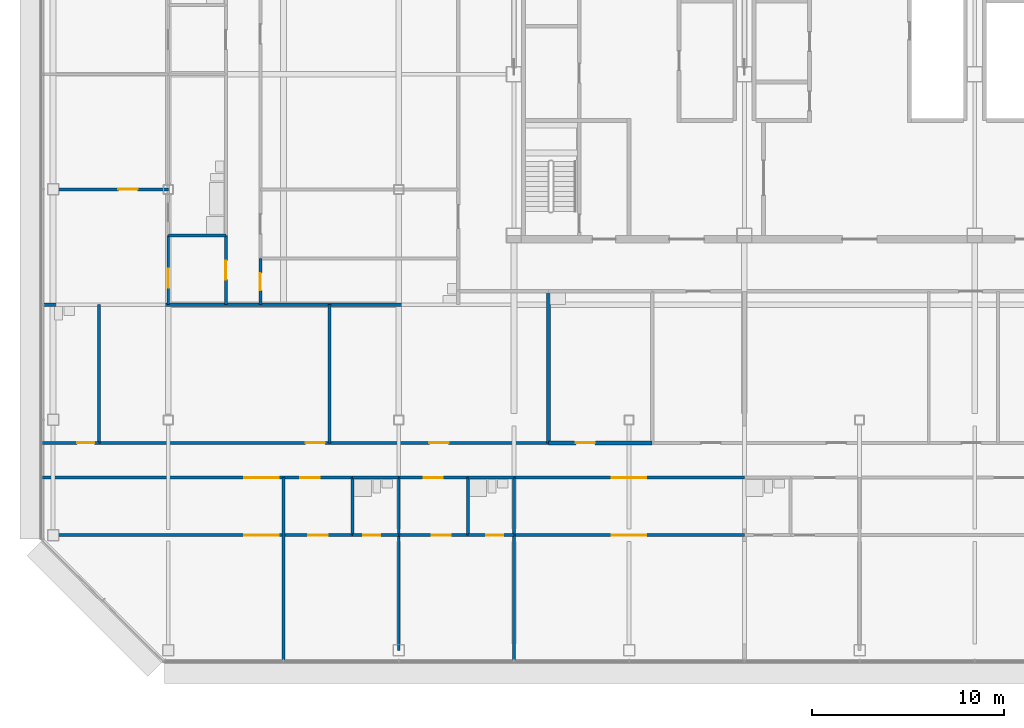
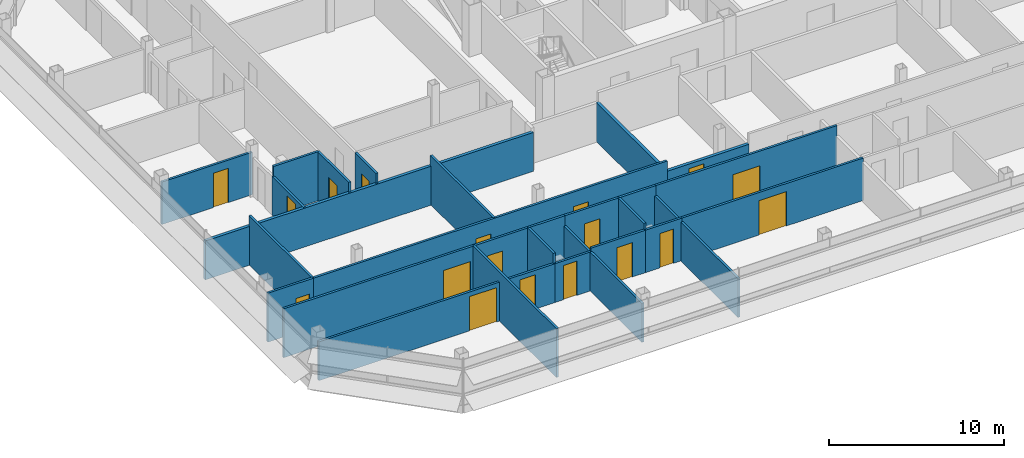
# One storey, part 18 of 28: 29 walls, 18 doors, 18 openings.
"""IFC4 building model written with IfcOpenShell, lengths in metres."""

from ifc_helpers import new_model, si_unit, direction, frame, frame_2d, origin, place, context, subcontext, project, spatial, rectangle, extrude, material, layer, layer_set, type_object, element, fill, save


model = new_model("IFC4")

# Units and contexts
model_context = context("Model", 3, precision=1e-05, world=origin(), true_north=direction((0.0, 1.0)))
body_context = subcontext(model_context, "Body", "Model", "MODEL_VIEW")
ifc_project = project(units=[si_unit("LENGTHUNIT", "METRE"), si_unit("AREAUNIT", "SQUARE_METRE"), si_unit("VOLUMEUNIT", "CUBIC_METRE"), si_unit("PLANEANGLEUNIT", "RADIAN"), si_unit("MASSUNIT", "GRAM", prefix="KILO")], contexts=[model_context])

# Site, building, storey
site_placement = place(None, origin())
site = spatial("IfcSite", under=ifc_project, at=site_placement, CompositionType="ELEMENT")
building_placement = place(site_placement, origin())
building = spatial("IfcBuilding", under=site, at=building_placement, Name="Sorahane Residences", CompositionType="ELEMENT")
storey_placement = place(building_placement, frame((0.0, 0.0, 290.800048828125)))
storey = spatial("IfcBuildingStorey", under=building, at=storey_placement, Name="L68", CompositionType="ELEMENT", Elevation=290.800048828125)

# Wall
ifc_material_1 = material(Name="Concrete blockwork C20 wall", Category="masonry")
ifc_layer_1 = layer(ifc_material_1, 0.199951171875)
ifc_layer_set_1 = layer_set([ifc_layer_1], Name="Kitchen wall 200 EI 180")
wall_type_1 = type_object("IfcWallType", Name="Kitchen wall 200 EI 180", PredefinedType="SOLIDWALL", material=ifc_layer_set_1)
wall_1_placement = place(storey_placement, frame((7.800048828125, 10.800048828125, 0.0), z_axis=(0.0, 0.0, 1.0), x_axis=(0.0, 1.0, 0.0)))
element("IfcWall", 1, at=wall_1_placement, inside=storey, type_object=wall_type_1, Name="L68 kitchen wall", PredefinedType="SOLIDWALL", context=body_context, shape_type="SweptSolid", body=[
    extrude(rectangle(XDim=7.89990234375, YDim=0.199951171875, at=frame_2d((3.949951171875, 0.0))), origin(), (0.0, 0.0, 1.0), 2.719970703125),
])

# Wall, opening, door
wall_2_placement = place(storey_placement, frame((7.800048828125, 10.800048828125, 0.0), z_axis=(0.0, 0.0, 1.0), x_axis=(1.0, 0.0, 0.0)))
wall_2 = element("IfcWall", 2, at=wall_2_placement, inside=storey, type_object=wall_type_1, Name="L68 kitchen wall", PredefinedType="SOLIDWALL", context=body_context, shape_type="SweptSolid", body=[
    extrude(rectangle(XDim=5.39990234375, YDim=0.199951171875, at=frame_2d((2.699951171875, 0.0))), origin(), (0.0, 0.0, 1.0), 2.719970703125),
])
opening_1_placement = place(wall_2_placement, frame((1.419921875, 0.0, 0.0)))
opening_1 = element("IfcOpeningElement", 3, at=opening_1_placement, cuts=wall_2, Name="Opening L68-05", PredefinedType="OPENING", context=body_context, shape_type="SweptSolid", body=[
    extrude(rectangle(XDim=1.0, YDim=2.39990234375, at=frame_2d((0.5, 1.199951171875))), frame((0.0, 0.10986328125, 0.0), z_axis=(0.0, -1.0, 0.0), x_axis=(1.0, 0.0, 0.0)), (0.0, 0.0, 1.0), 0.219970703125),
])
ifc_material_2 = material(Name="Steel", Category="steel")
door_type_1 = type_object("IfcDoorType", Name="Kitchen door 1000x2400 FD120", OperationType="NOTDEFINED", PredefinedType="DOOR", material=ifc_material_2)
door_1_placement = place(opening_1_placement, origin())
door_1 = element("IfcDoor", 4, at=door_1_placement, inside=storey, type_object=door_type_1, Name="Kitchen door L68-05", OperationType="SINGLE_SWING_RIGHT", OverallHeight=2.39990234375, OverallWidth=1.0, PredefinedType="DOOR", context=body_context, shape_type="SweptSolid", body=[
    extrude(rectangle(XDim=1.0, YDim=2.39990234375, at=frame_2d((0.5, 1.199951171875))), frame((0.0, 0.02490234375, 0.0), z_axis=(0.0, -1.0, 0.0), x_axis=(1.0, 0.0, 0.0)), (0.0, 0.0, 1.0), 0.050048828125),
])
fill(opening_1, door_1)

ifc_material_3 = material(Name="Gypsum board partition on steel studs", Category="steel")
ifc_layer_2 = layer(ifc_material_3, 0.14990234375)
ifc_layer_set_2 = layer_set([ifc_layer_2], Name="Partition 150 EI 90")
wall_type_2 = type_object("IfcWallType", Name="Partition 150 EI 90", PredefinedType="PARTITIONING", material=ifc_layer_set_2)
wall_3_placement = place(storey_placement, frame((-12.0, 18.0, 0.0), z_axis=(0.0, 0.0, 1.0), x_axis=(0.0, 1.0, 0.0)))
wall_3 = element("IfcWall", 5, at=wall_3_placement, inside=storey, type_object=wall_type_2, Name="L68 partition", PredefinedType="PARTITIONING", context=body_context, shape_type="SweptSolid", body=[
    extrude(rectangle(XDim=3.60009765625, YDim=0.14990234375, at=frame_2d((1.800048828125, 0.0))), origin(), (0.0, 0.0, 1.0), 2.719970703125),
])
opening_2_placement = place(wall_3_placement, frame((0.8798828125, 0.0, 0.0)))
opening_2 = element("IfcOpeningElement", 6, at=opening_2_placement, cuts=wall_3, Name="Opening L68-36", PredefinedType="OPENING", context=body_context, shape_type="SweptSolid", body=[
    extrude(rectangle(XDim=1.0, YDim=2.39990234375, at=frame_2d((0.5, 1.199951171875))), frame((0.0, 0.0849609375, 0.0), z_axis=(0.0, -1.0, 0.0), x_axis=(1.0, 0.0, 0.0)), (0.0, 0.0, 1.0), 0.169921875),
])
ifc_material_4 = material(Name="Timber veneered fire door", Category="wood")
door_type_2 = type_object("IfcDoorType", Name="Room door 1000x2400 FD30", OperationType="NOTDEFINED", PredefinedType="DOOR", material=ifc_material_4)
door_2_placement = place(opening_2_placement, origin())
door_2 = element("IfcDoor", 7, at=door_2_placement, inside=storey, type_object=door_type_2, Name="Room door L68-36", OperationType="SINGLE_SWING_LEFT", OverallHeight=2.39990234375, OverallWidth=1.0, PredefinedType="DOOR", context=body_context, shape_type="SweptSolid", body=[
    extrude(rectangle(XDim=1.0, YDim=2.39990234375, at=frame_2d((0.5, 1.199951171875))), frame((0.0, 0.02490234375, 0.0), z_axis=(0.0, -1.0, 0.0), x_axis=(1.0, 0.0, 0.0)), (0.0, 0.0, 1.0), 0.050048828125),
])
fill(opening_2, door_2)

# Walls
wall_4_placement = place(storey_placement, frame((-3.60009765625, 10.800048828125, 0.0), z_axis=(0.0, 0.0, 1.0), x_axis=(0.0, 1.0, 0.0)))
element("IfcWall", 8, at=wall_4_placement, inside=storey, type_object=wall_type_2, Name="L68 partition", PredefinedType="PARTITIONING", context=body_context, shape_type="SweptSolid", body=[
    extrude(rectangle(XDim=7.199951171875, YDim=0.14990234375, at=frame_2d((3.60009765625, 0.0))), origin(), (0.0, 0.0, 1.0), 3.419921875),
])
wall_5_placement = place(storey_placement, frame((-6.0, -0.60009765625, 0.0), z_axis=(0.0, 0.0, 1.0), x_axis=(0.0, 1.0, 0.0)))
element("IfcWall", 9, at=wall_5_placement, inside=storey, type_object=wall_type_2, Name="L68 partition", PredefinedType="PARTITIONING", context=body_context, shape_type="SweptSolid", body=[
    extrude(rectangle(XDim=9.60009765625, YDim=0.14990234375, at=frame_2d((4.800048828125, 0.0))), origin(), (0.0, 0.0, 1.0), 3.419921875),
])

# Wall, opening, door
wall_6_placement = place(storey_placement, frame((-9.0, 18.0, 0.0), z_axis=(0.0, 0.0, 1.0), x_axis=(0.0, 1.0, 0.0)))
wall_6 = element("IfcWall", 10, at=wall_6_placement, inside=storey, type_object=wall_type_2, Name="L68 partition", PredefinedType="PARTITIONING", context=body_context, shape_type="SweptSolid", body=[
    extrude(rectangle(XDim=3.60009765625, YDim=0.14990234375, at=frame_2d((1.800048828125, 0.0))), origin(), (0.0, 0.0, 1.0), 3.419921875),
])
opening_3_placement = place(wall_6_placement, frame((1.300048828125, 0.0, 0.0)))
opening_3 = element("IfcOpeningElement", 11, at=opening_3_placement, cuts=wall_6, Name="Opening L68-33", PredefinedType="OPENING", context=body_context, shape_type="SweptSolid", body=[
    extrude(rectangle(XDim=1.0, YDim=2.39990234375, at=frame_2d((0.5, 1.199951171875))), frame((0.0, 0.0849609375, 0.0), z_axis=(0.0, -1.0, 0.0), x_axis=(1.0, 0.0, 0.0)), (0.0, 0.0, 1.0), 0.169921875),
])
door_3_placement = place(opening_3_placement, origin())
door_3 = element("IfcDoor", 12, at=door_3_placement, inside=storey, type_object=door_type_2, Name="Room door L68-33", OperationType="SINGLE_SWING_LEFT", OverallHeight=2.39990234375, OverallWidth=1.0, PredefinedType="DOOR", context=body_context, shape_type="SweptSolid", body=[
    extrude(rectangle(XDim=1.0, YDim=2.39990234375, at=frame_2d((0.5, 1.199951171875))), frame((0.0, 0.02490234375, 0.0), z_axis=(0.0, -1.0, 0.0), x_axis=(1.0, 0.0, 0.0)), (0.0, 0.0, 1.0), 0.050048828125),
])
fill(opening_3, door_3)

# Walls
wall_7_placement = place(storey_placement, frame((0.0, 0.0, 0.0), z_axis=(0.0, 0.0, 1.0), x_axis=(0.0, 1.0, 0.0)))
element("IfcWall", 13, at=wall_7_placement, inside=storey, type_object=wall_type_2, Name="L68 partition", PredefinedType="PARTITIONING", context=body_context, shape_type="SweptSolid", body=[
    extrude(rectangle(XDim=6.0, YDim=0.14990234375, at=frame_2d((3.0, 0.0))), origin(), (0.0, 0.0, 1.0), 2.719970703125),
])
wall_8_placement = place(storey_placement, frame((6.0, -0.60009765625, 0.0), z_axis=(0.0, 0.0, 1.0), x_axis=(0.0, 1.0, 0.0)))
element("IfcWall", 14, at=wall_8_placement, inside=storey, type_object=wall_type_2, Name="L68 partition", PredefinedType="PARTITIONING", context=body_context, shape_type="SweptSolid", body=[
    extrude(rectangle(XDim=6.60009765625, YDim=0.14990234375, at=frame_2d((3.300048828125, 0.0))), origin(), (0.0, 0.0, 1.0), 2.719970703125),
])

# Wall, openings, doors
wall_9_placement = place(storey_placement, frame((-15.60009765625, 10.800048828125, 0.0), z_axis=(0.0, 0.0, 1.0), x_axis=(1.0, 0.0, 0.0)))
wall_9 = element("IfcWall", 15, at=wall_9_placement, inside=storey, type_object=wall_type_2, Name="L68 partition", PredefinedType="PARTITIONING", context=body_context, shape_type="SweptSolid", body=[
    extrude(rectangle(XDim=23.400146484375, YDim=0.14990234375, at=frame_2d((11.7001953125, 0.0))), origin(), (0.0, 0.0, 1.0), 3.419921875),
])
opening_4_placement = place(wall_9_placement, frame((10.75, 0.0, 0.0)))
opening_4 = element("IfcOpeningElement", 16, at=opening_4_placement, cuts=wall_9, Name="Opening L68-03", PredefinedType="OPENING", context=body_context, shape_type="SweptSolid", body=[
    extrude(rectangle(XDim=1.0, YDim=2.39990234375, at=frame_2d((0.5, 1.199951171875))), frame((0.0, 0.0849609375, 0.0), z_axis=(0.0, -1.0, 0.0), x_axis=(1.0, 0.0, 0.0)), (0.0, 0.0, 1.0), 0.169921875),
])
opening_5_placement = place(wall_9_placement, frame((17.199951171875, 0.0, 0.0)))
opening_5 = element("IfcOpeningElement", 17, at=opening_5_placement, cuts=wall_9, Name="Opening L68-04", PredefinedType="OPENING", context=body_context, shape_type="SweptSolid", body=[
    extrude(rectangle(XDim=1.0, YDim=2.39990234375, at=frame_2d((0.5, 1.199951171875))), frame((0.0, 0.0849609375, 0.0), z_axis=(0.0, -1.0, 0.0), x_axis=(1.0, 0.0, 0.0)), (0.0, 0.0, 1.0), 0.169921875),
])
door_4_placement = place(opening_4_placement, origin())
door_4 = element("IfcDoor", 18, at=door_4_placement, inside=storey, type_object=door_type_2, Name="Room door L68-03", OperationType="SINGLE_SWING_RIGHT", OverallHeight=2.39990234375, OverallWidth=1.0, PredefinedType="DOOR", context=body_context, shape_type="SweptSolid", body=[
    extrude(rectangle(XDim=1.0, YDim=2.39990234375, at=frame_2d((0.5, 1.199951171875))), frame((0.0, 0.02490234375, 0.0), z_axis=(0.0, -1.0, 0.0), x_axis=(1.0, 0.0, 0.0)), (0.0, 0.0, 1.0), 0.050048828125),
])
fill(opening_4, door_4)
door_5_placement = place(opening_5_placement, origin())
door_5 = element("IfcDoor", 19, at=door_5_placement, inside=storey, type_object=door_type_2, Name="Room door L68-04", OperationType="SINGLE_SWING_RIGHT", OverallHeight=2.39990234375, OverallWidth=1.0, PredefinedType="DOOR", context=body_context, shape_type="SweptSolid", body=[
    extrude(rectangle(XDim=1.0, YDim=2.39990234375, at=frame_2d((0.5, 1.199951171875))), frame((0.0, 0.02490234375, 0.0), z_axis=(0.0, -1.0, 0.0), x_axis=(1.0, 0.0, 0.0)), (0.0, 0.0, 1.0), 0.050048828125),
])
fill(opening_5, door_5)

# Wall, opening, door
wall_10_placement = place(storey_placement, frame((-18.0, 24.0, 0.0), z_axis=(0.0, 0.0, 1.0), x_axis=(1.0, 0.0, 0.0)))
wall_10 = element("IfcWall", 20, at=wall_10_placement, inside=storey, type_object=wall_type_2, Name="L68 partition", PredefinedType="PARTITIONING", context=body_context, shape_type="SweptSolid", body=[
    extrude(rectangle(XDim=6.0, YDim=0.14990234375, at=frame_2d((3.0, 0.0))), origin(), (0.0, 0.0, 1.0), 2.969970703125),
])
opening_6_placement = place(wall_10_placement, frame((3.39990234375, 0.0, 0.0)))
opening_6 = element("IfcOpeningElement", 21, at=opening_6_placement, cuts=wall_10, Name="Opening L68-37", PredefinedType="OPENING", context=body_context, shape_type="SweptSolid", body=[
    extrude(rectangle(XDim=1.0, YDim=2.39990234375, at=frame_2d((0.5, 1.199951171875))), frame((0.0, 0.0849609375, 0.0), z_axis=(0.0, -1.0, 0.0), x_axis=(1.0, 0.0, 0.0)), (0.0, 0.0, 1.0), 0.169921875),
])
door_6_placement = place(opening_6_placement, origin())
door_6 = element("IfcDoor", 22, at=door_6_placement, inside=storey, type_object=door_type_2, Name="Room door L68-37", OperationType="SINGLE_SWING_RIGHT", OverallHeight=2.39990234375, OverallWidth=1.0, PredefinedType="DOOR", context=body_context, shape_type="SweptSolid", body=[
    extrude(rectangle(XDim=1.0, YDim=2.39990234375, at=frame_2d((0.5, 1.199951171875))), frame((0.0, 0.02490234375, 0.0), z_axis=(0.0, -1.0, 0.0), x_axis=(1.0, 0.0, 0.0)), (0.0, 0.0, 1.0), 0.050048828125),
])
fill(opening_6, door_6)

# Wall, openings, doors
wall_11_placement = place(storey_placement, frame((-18.0, 6.0, 0.0), z_axis=(0.0, 0.0, 1.0), x_axis=(1.0, 0.0, 0.0)))
wall_11 = element("IfcWall", 23, at=wall_11_placement, inside=storey, type_object=wall_type_2, Name="L68 partition", PredefinedType="PARTITIONING", context=body_context, shape_type="SweptSolid", body=[
    extrude(rectangle(XDim=15.60009765625, YDim=0.14990234375, at=frame_2d((7.800048828125, 0.0))), origin(), (0.0, 0.0, 1.0), 2.719970703125),
])
opening_7_placement = place(wall_11_placement, frame((9.949951171875, 0.0, 0.0)))
opening_7 = element("IfcOpeningElement", 24, at=opening_7_placement, cuts=wall_11, Name="Opening L68-10", PredefinedType="OPENING", context=body_context, shape_type="SweptSolid", body=[
    extrude(rectangle(XDim=1.800048828125, YDim=2.39990234375, at=frame_2d((0.89990234375, 1.199951171875))), frame((0.0, 0.0849609375, 0.0), z_axis=(0.0, -1.0, 0.0), x_axis=(1.0, 0.0, 0.0)), (0.0, 0.0, 1.0), 0.169921875),
])
opening_8_placement = place(wall_11_placement, frame((13.300048828125, 0.0, 0.0)))
opening_8 = element("IfcOpeningElement", 25, at=opening_8_placement, cuts=wall_11, Name="Opening L68-11", PredefinedType="OPENING", context=body_context, shape_type="SweptSolid", body=[
    extrude(rectangle(XDim=1.0, YDim=2.39990234375, at=frame_2d((0.5, 1.199951171875))), frame((0.0, 0.0849609375, 0.0), z_axis=(0.0, -1.0, 0.0), x_axis=(1.0, 0.0, 0.0)), (0.0, 0.0, 1.0), 0.169921875),
])
ifc_material_5 = material(Name="Timber veneered fire door", Category="wood")
door_type_3 = type_object("IfcDoorType", Name="Double door 1800x2400 FD30", OperationType="NOTDEFINED", PredefinedType="DOOR", material=ifc_material_5)
door_7_placement = place(opening_7_placement, frame((1.800048828125, 0.0, 0.0), z_axis=(0.0, 0.0, 1.0), x_axis=(-1.0, 0.0, 0.0)))
door_7 = element("IfcDoor", 26, at=door_7_placement, inside=storey, type_object=door_type_3, Name="Double door L68-10", OperationType="SINGLE_SWING_RIGHT", OverallHeight=2.39990234375, OverallWidth=1.800048828125, PredefinedType="DOOR", context=body_context, shape_type="SweptSolid", body=[
    extrude(rectangle(XDim=1.800048828125, YDim=2.39990234375, at=frame_2d((0.89990234375, 1.199951171875))), frame((0.0, 0.02490234375, 0.0), z_axis=(0.0, -1.0, 0.0), x_axis=(1.0, 0.0, 0.0)), (0.0, 0.0, 1.0), 0.050048828125),
])
fill(opening_7, door_7)
door_8_placement = place(opening_8_placement, frame((1.0, 0.0, 0.0), z_axis=(0.0, 0.0, 1.0), x_axis=(-1.0, 0.0, 0.0)))
door_8 = element("IfcDoor", 27, at=door_8_placement, inside=storey, type_object=door_type_2, Name="Room door L68-11", OperationType="SINGLE_SWING_LEFT", OverallHeight=2.39990234375, OverallWidth=1.0, PredefinedType="DOOR", context=body_context, shape_type="SweptSolid", body=[
    extrude(rectangle(XDim=1.0, YDim=2.39990234375, at=frame_2d((0.5, 1.199951171875))), frame((0.0, 0.02490234375, 0.0), z_axis=(0.0, -1.0, 0.0), x_axis=(1.0, 0.0, 0.0)), (0.0, 0.0, 1.0), 0.050048828125),
])
fill(opening_8, door_8)

# Wall, opening, door
wall_12_placement = place(storey_placement, frame((0.0, 6.0, 0.0), z_axis=(0.0, 0.0, 1.0), x_axis=(1.0, 0.0, 0.0)))
wall_12 = element("IfcWall", 28, at=wall_12_placement, inside=storey, type_object=wall_type_2, Name="L68 partition", PredefinedType="PARTITIONING", context=body_context, shape_type="SweptSolid", body=[
    extrude(rectangle(XDim=3.60009765625, YDim=0.14990234375, at=frame_2d((1.800048828125, 0.0))), origin(), (0.0, 0.0, 1.0), 2.969970703125),
])
opening_9_placement = place(wall_12_placement, frame((1.719970703125, 0.0, 0.0)))
opening_9 = element("IfcOpeningElement", 29, at=opening_9_placement, cuts=wall_12, Name="Opening L68-13", PredefinedType="OPENING", context=body_context, shape_type="SweptSolid", body=[
    extrude(rectangle(XDim=1.0, YDim=2.39990234375, at=frame_2d((0.5, 1.199951171875))), frame((0.0, 0.0849609375, 0.0), z_axis=(0.0, -1.0, 0.0), x_axis=(1.0, 0.0, 0.0)), (0.0, 0.0, 1.0), 0.169921875),
])
door_9_placement = place(opening_9_placement, frame((1.0, 0.0, 0.0), z_axis=(0.0, 0.0, 1.0), x_axis=(-1.0, 0.0, 0.0)))
door_9 = element("IfcDoor", 30, at=door_9_placement, inside=storey, type_object=door_type_2, Name="Room door L68-13", OperationType="SINGLE_SWING_RIGHT", OverallHeight=2.39990234375, OverallWidth=1.0, PredefinedType="DOOR", context=body_context, shape_type="SweptSolid", body=[
    extrude(rectangle(XDim=1.0, YDim=2.39990234375, at=frame_2d((0.5, 1.199951171875))), frame((0.0, 0.02490234375, 0.0), z_axis=(0.0, -1.0, 0.0), x_axis=(1.0, 0.0, 0.0)), (0.0, 0.0, 1.0), 0.050048828125),
])
fill(opening_9, door_9)

wall_13_placement = place(storey_placement, frame((6.0, 6.0, 0.0), z_axis=(0.0, 0.0, 1.0), x_axis=(1.0, 0.0, 0.0)))
wall_13 = element("IfcWall", 31, at=wall_13_placement, inside=storey, type_object=wall_type_2, Name="L68 partition", PredefinedType="PARTITIONING", context=body_context, shape_type="SweptSolid", body=[
    extrude(rectangle(XDim=12.0, YDim=0.14990234375, at=frame_2d((6.0, 0.0))), origin(), (0.0, 0.0, 1.0), 2.969970703125),
])
opening_10_placement = place(wall_13_placement, frame((5.10009765625, 0.0, 0.0)))
opening_10 = element("IfcOpeningElement", 32, at=opening_10_placement, cuts=wall_13, Name="Opening L68-15", PredefinedType="OPENING", context=body_context, shape_type="SweptSolid", body=[
    extrude(rectangle(XDim=1.800048828125, YDim=2.39990234375, at=frame_2d((0.89990234375, 1.199951171875))), frame((0.0, 0.0849609375, 0.0), z_axis=(0.0, -1.0, 0.0), x_axis=(1.0, 0.0, 0.0)), (0.0, 0.0, 1.0), 0.169921875),
])
door_10_placement = place(opening_10_placement, frame((1.800048828125, 0.0, 0.0), z_axis=(0.0, 0.0, 1.0), x_axis=(-1.0, 0.0, 0.0)))
door_10 = element("IfcDoor", 33, at=door_10_placement, inside=storey, type_object=door_type_3, Name="Double door L68-15", OperationType="SINGLE_SWING_RIGHT", OverallHeight=2.39990234375, OverallWidth=1.800048828125, PredefinedType="DOOR", context=body_context, shape_type="SweptSolid", body=[
    extrude(rectangle(XDim=1.800048828125, YDim=2.39990234375, at=frame_2d((0.89990234375, 1.199951171875))), frame((0.0, 0.02490234375, 0.0), z_axis=(0.0, -1.0, 0.0), x_axis=(1.0, 0.0, 0.0)), (0.0, 0.0, 1.0), 0.050048828125),
])
fill(opening_10, door_10)

# Wall, openings, doors
wall_14_placement = place(storey_placement, frame((-18.60009765625, 9.0, 0.0), z_axis=(0.0, 0.0, 1.0), x_axis=(1.0, 0.0, 0.0)))
wall_14 = element("IfcWall", 34, at=wall_14_placement, inside=storey, type_object=wall_type_2, Name="L68 partition", PredefinedType="PARTITIONING", context=body_context, shape_type="SweptSolid", body=[
    extrude(rectangle(XDim=16.2001953125, YDim=0.14990234375, at=frame_2d((8.10009765625, 0.0))), origin(), (0.0, 0.0, 1.0), 3.419921875),
])
opening_11_placement = place(wall_14_placement, frame((10.550048828125, 0.0, 0.0)))
opening_11 = element("IfcOpeningElement", 35, at=opening_11_placement, cuts=wall_14, Name="Opening L68-06", PredefinedType="OPENING", context=body_context, shape_type="SweptSolid", body=[
    extrude(rectangle(XDim=1.800048828125, YDim=2.39990234375, at=frame_2d((0.89990234375, 1.199951171875))), frame((0.0, 0.0849609375, 0.0), z_axis=(0.0, -1.0, 0.0), x_axis=(1.0, 0.0, 0.0)), (0.0, 0.0, 1.0), 0.169921875),
])
opening_12_placement = place(wall_14_placement, frame((13.47998046875, 0.0, 0.0)))
opening_12 = element("IfcOpeningElement", 36, at=opening_12_placement, cuts=wall_14, Name="Opening L68-07", PredefinedType="OPENING", context=body_context, shape_type="SweptSolid", body=[
    extrude(rectangle(XDim=1.0, YDim=2.39990234375, at=frame_2d((0.5, 1.199951171875))), frame((0.0, 0.0849609375, 0.0), z_axis=(0.0, -1.0, 0.0), x_axis=(1.0, 0.0, 0.0)), (0.0, 0.0, 1.0), 0.169921875),
])
door_11_placement = place(opening_11_placement, frame((1.800048828125, 0.0, 0.0), z_axis=(0.0, 0.0, 1.0), x_axis=(-1.0, 0.0, 0.0)))
door_11 = element("IfcDoor", 37, at=door_11_placement, inside=storey, type_object=door_type_3, Name="Double door L68-06", OperationType="SINGLE_SWING_LEFT", OverallHeight=2.39990234375, OverallWidth=1.800048828125, PredefinedType="DOOR", context=body_context, shape_type="SweptSolid", body=[
    extrude(rectangle(XDim=1.800048828125, YDim=2.39990234375, at=frame_2d((0.89990234375, 1.199951171875))), frame((0.0, 0.02490234375, 0.0), z_axis=(0.0, -1.0, 0.0), x_axis=(1.0, 0.0, 0.0)), (0.0, 0.0, 1.0), 0.050048828125),
])
fill(opening_11, door_11)
door_12_placement = place(opening_12_placement, frame((1.0, 0.0, 0.0), z_axis=(0.0, 0.0, 1.0), x_axis=(-1.0, 0.0, 0.0)))
door_12 = element("IfcDoor", 38, at=door_12_placement, inside=storey, type_object=door_type_2, Name="Room door L68-07", OperationType="SINGLE_SWING_LEFT", OverallHeight=2.39990234375, OverallWidth=1.0, PredefinedType="DOOR", context=body_context, shape_type="SweptSolid", body=[
    extrude(rectangle(XDim=1.0, YDim=2.39990234375, at=frame_2d((0.5, 1.199951171875))), frame((0.0, 0.02490234375, 0.0), z_axis=(0.0, -1.0, 0.0), x_axis=(1.0, 0.0, 0.0)), (0.0, 0.0, 1.0), 0.050048828125),
])
fill(opening_12, door_12)

# Wall, opening, door
wall_15_placement = place(storey_placement, frame((0.0, 9.0, 0.0), z_axis=(0.0, 0.0, 1.0), x_axis=(1.0, 0.0, 0.0)))
wall_15 = element("IfcWall", 39, at=wall_15_placement, inside=storey, type_object=wall_type_2, Name="L68 partition", PredefinedType="PARTITIONING", context=body_context, shape_type="SweptSolid", body=[
    extrude(rectangle(XDim=3.60009765625, YDim=0.14990234375, at=frame_2d((1.800048828125, 0.0))), origin(), (0.0, 0.0, 1.0), 3.419921875),
])
opening_13_placement = place(wall_15_placement, frame((1.300048828125, 0.0, 0.0)))
opening_13 = element("IfcOpeningElement", 40, at=opening_13_placement, cuts=wall_15, Name="Opening L68-08", PredefinedType="OPENING", context=body_context, shape_type="SweptSolid", body=[
    extrude(rectangle(XDim=1.0, YDim=2.39990234375, at=frame_2d((0.5, 1.199951171875))), frame((0.0, 0.0849609375, 0.0), z_axis=(0.0, -1.0, 0.0), x_axis=(1.0, 0.0, 0.0)), (0.0, 0.0, 1.0), 0.169921875),
])
door_13_placement = place(opening_13_placement, frame((1.0, 0.0, 0.0), z_axis=(0.0, 0.0, 1.0), x_axis=(-1.0, 0.0, 0.0)))
door_13 = element("IfcDoor", 41, at=door_13_placement, inside=storey, type_object=door_type_2, Name="Room door L68-08", OperationType="SINGLE_SWING_RIGHT", OverallHeight=2.39990234375, OverallWidth=1.0, PredefinedType="DOOR", context=body_context, shape_type="SweptSolid", body=[
    extrude(rectangle(XDim=1.0, YDim=2.39990234375, at=frame_2d((0.5, 1.199951171875))), frame((0.0, 0.02490234375, 0.0), z_axis=(0.0, -1.0, 0.0), x_axis=(1.0, 0.0, 0.0)), (0.0, 0.0, 1.0), 0.050048828125),
])
fill(opening_13, door_13)

wall_16_placement = place(storey_placement, frame((6.0, 9.0, 0.0), z_axis=(0.0, 0.0, 1.0), x_axis=(1.0, 0.0, 0.0)))
wall_16 = element("IfcWall", 42, at=wall_16_placement, inside=storey, type_object=wall_type_2, Name="L68 partition", PredefinedType="PARTITIONING", context=body_context, shape_type="SweptSolid", body=[
    extrude(rectangle(XDim=12.0, YDim=0.14990234375, at=frame_2d((6.0, 0.0))), origin(), (0.0, 0.0, 1.0), 3.419921875),
])
opening_14_placement = place(wall_16_placement, frame((5.10009765625, 0.0, 0.0)))
opening_14 = element("IfcOpeningElement", 43, at=opening_14_placement, cuts=wall_16, Name="Opening L68-09", PredefinedType="OPENING", context=body_context, shape_type="SweptSolid", body=[
    extrude(rectangle(XDim=1.800048828125, YDim=2.39990234375, at=frame_2d((0.89990234375, 1.199951171875))), frame((0.0, 0.0849609375, 0.0), z_axis=(0.0, -1.0, 0.0), x_axis=(1.0, 0.0, 0.0)), (0.0, 0.0, 1.0), 0.169921875),
])
door_14_placement = place(opening_14_placement, frame((1.800048828125, 0.0, 0.0), z_axis=(0.0, 0.0, 1.0), x_axis=(-1.0, 0.0, 0.0)))
door_14 = element("IfcDoor", 44, at=door_14_placement, inside=storey, type_object=door_type_3, Name="Double door L68-09", OperationType="SINGLE_SWING_LEFT", OverallHeight=2.39990234375, OverallWidth=1.800048828125, PredefinedType="DOOR", context=body_context, shape_type="SweptSolid", body=[
    extrude(rectangle(XDim=1.800048828125, YDim=2.39990234375, at=frame_2d((0.89990234375, 1.199951171875))), frame((0.0, 0.02490234375, 0.0), z_axis=(0.0, -1.0, 0.0), x_axis=(1.0, 0.0, 0.0)), (0.0, 0.0, 1.0), 0.050048828125),
])
fill(opening_14, door_14)

# Walls
ifc_material_6 = material(Name="Concrete blockwork C20 wall", Category="masonry")
ifc_layer_3 = layer(ifc_material_6, 0.199951171875)
ifc_layer_set_3 = layer_set([ifc_layer_3], Name="Party wall 200 EI 120")
wall_type_3 = type_object("IfcWallType", Name="Party wall 200 EI 120", PredefinedType="SOLIDWALL", material=ifc_layer_set_3)
wall_17_placement = place(storey_placement, frame((-18.60009765625, 18.0, 0.0), z_axis=(0.0, 0.0, 1.0), x_axis=(1.0, 0.0, 0.0)))
element("IfcWall", 45, at=wall_17_placement, inside=storey, type_object=wall_type_3, Name="L68 party wall", PredefinedType="SOLIDWALL", context=body_context, shape_type="SweptSolid", body=[
    extrude(rectangle(XDim=21.7001953125, YDim=0.199951171875, at=frame_2d((10.85009765625, 0.0))), origin(), (0.0, 0.0, 1.0), 2.719970703125),
])
ifc_material_7 = material(Name="Gypsum board partition on steel studs", Category="steel")
ifc_layer_4 = layer(ifc_material_7, 0.14990234375)
ifc_layer_set_4 = layer_set([ifc_layer_4], Name="Wet wall 150 EI 90")
wall_type_4 = type_object("IfcWallType", Name="Wet wall 150 EI 90", PredefinedType="PARTITIONING", material=ifc_layer_set_4)
wall_18_placement = place(storey_placement, frame((-15.60009765625, 10.800048828125, 0.0), z_axis=(0.0, 0.0, 1.0), x_axis=(0.0, 1.0, 0.0)))
element("IfcWall", 46, at=wall_18_placement, inside=storey, type_object=wall_type_4, Name="L68 wet wall", PredefinedType="PARTITIONING", context=body_context, shape_type="SweptSolid", body=[
    extrude(rectangle(XDim=7.199951171875, YDim=0.14990234375, at=frame_2d((3.60009765625, 0.0))), origin(), (0.0, 0.0, 1.0), 3.419921875),
])
wall_19_placement = place(storey_placement, frame((-2.39990234375, 6.0, 0.0), z_axis=(0.0, 0.0, 1.0), x_axis=(0.0, 1.0, 0.0)))
element("IfcWall", 47, at=wall_19_placement, inside=storey, type_object=wall_type_4, Name="L68 wet wall", PredefinedType="PARTITIONING", context=body_context, shape_type="SweptSolid", body=[
    extrude(rectangle(XDim=3.0, YDim=0.14990234375, at=frame_2d((1.5, 0.0))), origin(), (0.0, 0.0, 1.0), 3.419921875),
])

# Wall, opening, door
wall_20_placement = place(storey_placement, frame((-7.199951171875, 18.0, 0.0), z_axis=(0.0, 0.0, 1.0), x_axis=(0.0, 1.0, 0.0)))
wall_20 = element("IfcWall", 48, at=wall_20_placement, inside=storey, type_object=wall_type_4, Name="L68 wet wall", PredefinedType="PARTITIONING", context=body_context, shape_type="SweptSolid", body=[
    extrude(rectangle(XDim=2.39990234375, YDim=0.14990234375, at=frame_2d((1.199951171875, 0.0))), origin(), (0.0, 0.0, 1.0), 3.419921875),
])
opening_15_placement = place(wall_20_placement, frame((0.75, 0.0, 0.0)))
opening_15 = element("IfcOpeningElement", 49, at=opening_15_placement, cuts=wall_20, Name="Opening L68-29", PredefinedType="OPENING", context=body_context, shape_type="SweptSolid", body=[
    extrude(rectangle(XDim=0.89990234375, YDim=2.39990234375, at=frame_2d((0.449951171875, 1.199951171875))), frame((0.0, 0.0849609375, 0.0), z_axis=(0.0, -1.0, 0.0), x_axis=(1.0, 0.0, 0.0)), (0.0, 0.0, 1.0), 0.169921875),
])
ifc_material_8 = material(Name="Timber veneered fire door", Category="wood")
door_type_4 = type_object("IfcDoorType", Name="Bathroom door 900x2400 FD30", OperationType="NOTDEFINED", PredefinedType="DOOR", material=ifc_material_8)
door_15_placement = place(opening_15_placement, origin())
door_15 = element("IfcDoor", 50, at=door_15_placement, inside=storey, type_object=door_type_4, Name="Bathroom door L68-29", OperationType="SINGLE_SWING_LEFT", OverallHeight=2.39990234375, OverallWidth=0.89990234375, PredefinedType="DOOR", context=body_context, shape_type="SweptSolid", body=[
    extrude(rectangle(XDim=0.89990234375, YDim=2.39990234375, at=frame_2d((0.449951171875, 1.199951171875))), frame((0.0, 0.02490234375, 0.0), z_axis=(0.0, -1.0, 0.0), x_axis=(1.0, 0.0, 0.0)), (0.0, 0.0, 1.0), 0.050048828125),
])
fill(opening_15, door_15)

# Walls
wall_21_placement = place(storey_placement, frame((0.0, 6.0, 0.0), z_axis=(0.0, 0.0, 1.0), x_axis=(0.0, 1.0, 0.0)))
element("IfcWall", 51, at=wall_21_placement, inside=storey, type_object=wall_type_4, Name="L68 wet wall", PredefinedType="PARTITIONING", context=body_context, shape_type="SweptSolid", body=[
    extrude(rectangle(XDim=3.0, YDim=0.14990234375, at=frame_2d((1.5, 0.0))), origin(), (0.0, 0.0, 1.0), 2.719970703125),
])
wall_22_placement = place(storey_placement, frame((3.60009765625, 6.0, 0.0), z_axis=(0.0, 0.0, 1.0), x_axis=(0.0, 1.0, 0.0)))
element("IfcWall", 52, at=wall_22_placement, inside=storey, type_object=wall_type_4, Name="L68 wet wall", PredefinedType="PARTITIONING", context=body_context, shape_type="SweptSolid", body=[
    extrude(rectangle(XDim=3.0, YDim=0.14990234375, at=frame_2d((1.5, 0.0))), origin(), (0.0, 0.0, 1.0), 3.419921875),
])
wall_23_placement = place(storey_placement, frame((6.0, 6.0, 0.0), z_axis=(0.0, 0.0, 1.0), x_axis=(0.0, 1.0, 0.0)))
element("IfcWall", 53, at=wall_23_placement, inside=storey, type_object=wall_type_4, Name="L68 wet wall", PredefinedType="PARTITIONING", context=body_context, shape_type="SweptSolid", body=[
    extrude(rectangle(XDim=3.0, YDim=0.14990234375, at=frame_2d((1.5, 0.0))), origin(), (0.0, 0.0, 1.0), 2.719970703125),
])

# Wall, opening, door
wall_24_placement = place(storey_placement, frame((-18.60009765625, 10.800048828125, 0.0), z_axis=(0.0, 0.0, 1.0), x_axis=(1.0, 0.0, 0.0)))
wall_24 = element("IfcWall", 54, at=wall_24_placement, inside=storey, type_object=wall_type_4, Name="L68 wet wall", PredefinedType="PARTITIONING", context=body_context, shape_type="SweptSolid", body=[
    extrude(rectangle(XDim=3.0, YDim=0.14990234375, at=frame_2d((1.5, 0.0))), origin(), (0.0, 0.0, 1.0), 3.419921875),
])
opening_16_placement = place(wall_24_placement, frame((1.85009765625, 0.0, 0.0)))
opening_16 = element("IfcOpeningElement", 55, at=opening_16_placement, cuts=wall_24, Name="Opening L68-02", PredefinedType="OPENING", context=body_context, shape_type="SweptSolid", body=[
    extrude(rectangle(XDim=0.89990234375, YDim=2.39990234375, at=frame_2d((0.449951171875, 1.199951171875))), frame((0.0, 0.0849609375, 0.0), z_axis=(0.0, -1.0, 0.0), x_axis=(1.0, 0.0, 0.0)), (0.0, 0.0, 1.0), 0.169921875),
])
door_16_placement = place(opening_16_placement, frame((0.89990234375, 0.0, 0.0), z_axis=(0.0, 0.0, 1.0), x_axis=(-1.0, 0.0, 0.0)))
door_16 = element("IfcDoor", 56, at=door_16_placement, inside=storey, type_object=door_type_4, Name="Bathroom door L68-02", OperationType="SINGLE_SWING_LEFT", OverallHeight=2.39990234375, OverallWidth=0.89990234375, PredefinedType="DOOR", context=body_context, shape_type="SweptSolid", body=[
    extrude(rectangle(XDim=0.89990234375, YDim=2.39990234375, at=frame_2d((0.449951171875, 1.199951171875))), frame((0.0, 0.02490234375, 0.0), z_axis=(0.0, -1.0, 0.0), x_axis=(1.0, 0.0, 0.0)), (0.0, 0.0, 1.0), 0.050048828125),
])
fill(opening_16, door_16)

# Wall
wall_25_placement = place(storey_placement, frame((-12.0, 21.60009765625, 0.0), z_axis=(0.0, 0.0, 1.0), x_axis=(1.0, 0.0, 0.0)))
element("IfcWall", 57, at=wall_25_placement, inside=storey, type_object=wall_type_4, Name="L68 wet wall", PredefinedType="PARTITIONING", context=body_context, shape_type="SweptSolid", body=[
    extrude(rectangle(XDim=3.0, YDim=0.14990234375, at=frame_2d((1.5, 0.0))), origin(), (0.0, 0.0, 1.0), 3.419921875),
])

# Wall, opening, door
wall_26_placement = place(storey_placement, frame((-2.39990234375, 6.0, 0.0), z_axis=(0.0, 0.0, 1.0), x_axis=(1.0, 0.0, 0.0)))
wall_26 = element("IfcWall", 58, at=wall_26_placement, inside=storey, type_object=wall_type_4, Name="L68 wet wall", PredefinedType="PARTITIONING", context=body_context, shape_type="SweptSolid", body=[
    extrude(rectangle(XDim=2.39990234375, YDim=0.14990234375, at=frame_2d((1.199951171875, 0.0))), origin(), (0.0, 0.0, 1.0), 2.719970703125),
])
opening_17_placement = place(wall_26_placement, frame((0.550048828125, 0.0, 0.0)))
opening_17 = element("IfcOpeningElement", 59, at=opening_17_placement, cuts=wall_26, Name="Opening L68-12", PredefinedType="OPENING", context=body_context, shape_type="SweptSolid", body=[
    extrude(rectangle(XDim=0.89990234375, YDim=2.39990234375, at=frame_2d((0.449951171875, 1.199951171875))), frame((0.0, 0.0849609375, 0.0), z_axis=(0.0, -1.0, 0.0), x_axis=(1.0, 0.0, 0.0)), (0.0, 0.0, 1.0), 0.169921875),
])
door_17_placement = place(opening_17_placement, frame((0.89990234375, 0.0, 0.0), z_axis=(0.0, 0.0, 1.0), x_axis=(-1.0, 0.0, 0.0)))
door_17 = element("IfcDoor", 60, at=door_17_placement, inside=storey, type_object=door_type_4, Name="Bathroom door L68-12", OperationType="SINGLE_SWING_LEFT", OverallHeight=2.39990234375, OverallWidth=0.89990234375, PredefinedType="DOOR", context=body_context, shape_type="SweptSolid", body=[
    extrude(rectangle(XDim=0.89990234375, YDim=2.39990234375, at=frame_2d((0.449951171875, 1.199951171875))), frame((0.0, 0.02490234375, 0.0), z_axis=(0.0, -1.0, 0.0), x_axis=(1.0, 0.0, 0.0)), (0.0, 0.0, 1.0), 0.050048828125),
])
fill(opening_17, door_17)

wall_27_placement = place(storey_placement, frame((3.60009765625, 6.0, 0.0), z_axis=(0.0, 0.0, 1.0), x_axis=(1.0, 0.0, 0.0)))
wall_27 = element("IfcWall", 61, at=wall_27_placement, inside=storey, type_object=wall_type_4, Name="L68 wet wall", PredefinedType="PARTITIONING", context=body_context, shape_type="SweptSolid", body=[
    extrude(rectangle(XDim=2.39990234375, YDim=0.14990234375, at=frame_2d((1.199951171875, 0.0))), origin(), (0.0, 0.0, 1.0), 2.969970703125),
])
opening_18_placement = place(wall_27_placement, frame((0.949951171875, 0.0, 0.0)))
opening_18 = element("IfcOpeningElement", 62, at=opening_18_placement, cuts=wall_27, Name="Opening L68-14", PredefinedType="OPENING", context=body_context, shape_type="SweptSolid", body=[
    extrude(rectangle(XDim=0.89990234375, YDim=2.39990234375, at=frame_2d((0.449951171875, 1.199951171875))), frame((0.0, 0.0849609375, 0.0), z_axis=(0.0, -1.0, 0.0), x_axis=(1.0, 0.0, 0.0)), (0.0, 0.0, 1.0), 0.169921875),
])
door_18_placement = place(opening_18_placement, frame((0.89990234375, 0.0, 0.0), z_axis=(0.0, 0.0, 1.0), x_axis=(-1.0, 0.0, 0.0)))
door_18 = element("IfcDoor", 63, at=door_18_placement, inside=storey, type_object=door_type_4, Name="Bathroom door L68-14", OperationType="SINGLE_SWING_RIGHT", OverallHeight=2.39990234375, OverallWidth=0.89990234375, PredefinedType="DOOR", context=body_context, shape_type="SweptSolid", body=[
    extrude(rectangle(XDim=0.89990234375, YDim=2.39990234375, at=frame_2d((0.449951171875, 1.199951171875))), frame((0.0, 0.02490234375, 0.0), z_axis=(0.0, -1.0, 0.0), x_axis=(1.0, 0.0, 0.0)), (0.0, 0.0, 1.0), 0.050048828125),
])
fill(opening_18, door_18)

# Walls
for number, where, z_axis, x_axis, name in (
    (64, (-2.39990234375, 9.0, 0.0), (0.0, 0.0, 1.0), (1.0, 0.0, 0.0), "L68 wet wall"),
    (65, (3.60009765625, 9.0, 0.0), (0.0, 0.0, 1.0), (1.0, 0.0, 0.0), "L68 wet wall"),
):
    element("IfcWall", number, at=place(storey_placement, frame(where, z_axis=z_axis, x_axis=x_axis)), inside=storey, type_object=wall_type_4, Name=name, PredefinedType="PARTITIONING", context=body_context, shape_type="SweptSolid", body=[
        extrude(rectangle(XDim=2.39990234375, YDim=0.14990234375, at=frame_2d((1.199951171875, 0.0))), origin(), (0.0, 0.0, 1.0), 3.419921875),
    ])

save(model, "model.ifc")
